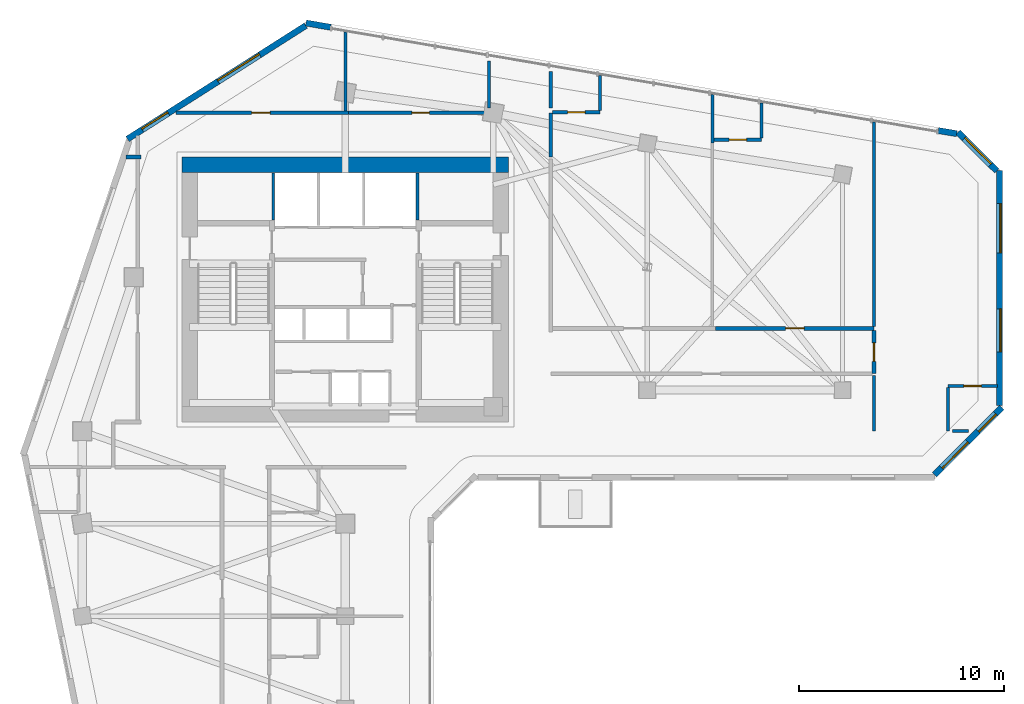
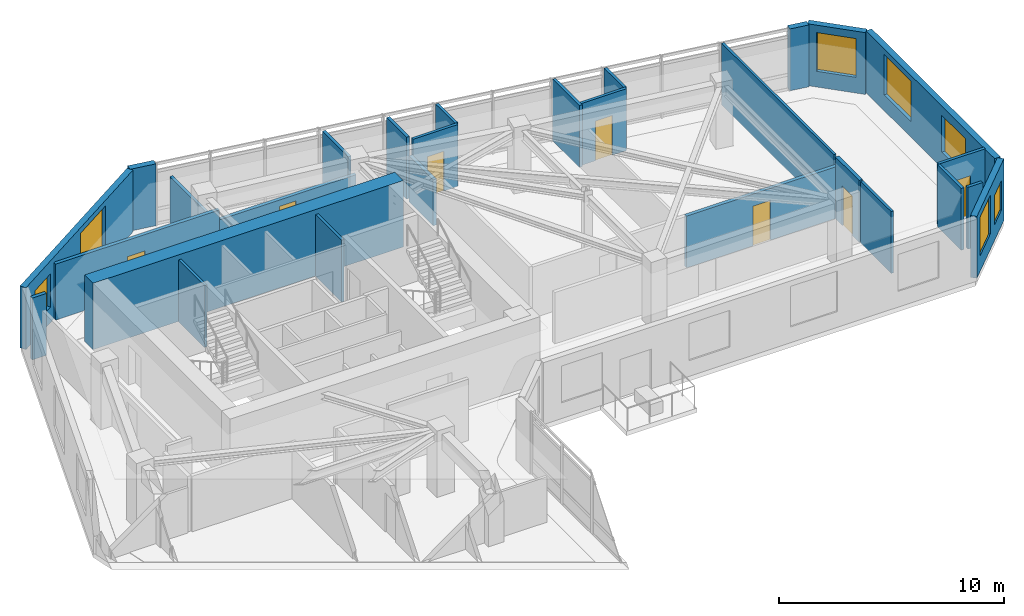
# One storey, part 7 of 11: 28 walls, 7 doors, 7 windows, 14 openings.
"""IFC4 building model written with IfcOpenShell, lengths in metres."""

from ifc_helpers import new_model, si_unit, direction, frame, frame_2d, origin, place, context, subcontext, project, spatial, rectangle, extrude, source, transform, mapped, material, layer, layer_set, type_object, element, fill, save


model = new_model("IFC4")

# Units and contexts
model_context = context("Model", 3, precision=1e-05, world=origin(), true_north=direction((0.0, 1.0)))
body_context = subcontext(model_context, "Body", "Model", "MODEL_VIEW")
ifc_project = project(units=[si_unit("LENGTHUNIT", "METRE"), si_unit("AREAUNIT", "SQUARE_METRE"), si_unit("VOLUMEUNIT", "CUBIC_METRE"), si_unit("PLANEANGLEUNIT", "RADIAN"), si_unit("MASSUNIT", "GRAM", prefix="KILO")], contexts=[model_context])

# Site, building, storey
site_placement = place(None, origin())
site = spatial("IfcSite", under=ifc_project, at=site_placement, CompositionType="ELEMENT")
building_placement = place(site_placement, origin())
building = spatial("IfcBuilding", under=site, at=building_placement, Name="Calvemar Wedge Station Tower", CompositionType="ELEMENT")
storey_placement = place(building_placement, frame((0.0, 0.0, 143.0)))
storey = spatial("IfcBuildingStorey", under=building, at=storey_placement, Name="L35", CompositionType="ELEMENT", Elevation=143.0)

# Walls
ifc_material_1 = material(Name="Concrete C70", Category="concrete")
ifc_layer_1 = layer(ifc_material_1, 0.75)
ifc_layer_set_1 = layer_set([ifc_layer_1], Name="Concrete C70")
wall_type_1 = type_object("IfcWallType", Name="SW-CORE-750", PredefinedType="SHEAR", material=ifc_layer_set_1)
wall_1_placement = place(storey_placement, frame((15.85009765625, 45.97509765625, 0.0), z_axis=(0.0, 0.0, 1.0), x_axis=(1.0, 0.0, 0.0)))
element("IfcWall", 1, at=wall_1_placement, inside=storey, type_object=wall_type_1, Name="Storey L35 Core Shear Wall N", PredefinedType="SHEAR", context=body_context, shape_type="SweptSolid", body=[
    extrude(rectangle(XDim=15.89990234375, YDim=0.75, at=frame_2d((7.949951171875, 0.0))), origin(), (0.0, 0.0, 1.0), 3.60009765625),
])
ifc_material_2 = material(Name="Double-stud fire-rated corridor partition")
ifc_layer_2 = layer(ifc_material_2, 0.179931640625)
ifc_layer_set_2 = layer_set([ifc_layer_2], Name="Double-stud fire-rated corridor partition")
wall_type_2 = type_object("IfcWallType", Name="W-CORR-180", PredefinedType="PARTITIONING", material=ifc_layer_set_2)
wall_2_placement = place(storey_placement, frame((13.860107421875, 46.35009765625, 0.0), z_axis=(0.0, 0.0, 1.0), x_axis=(-1.0, 0.0, 0.0)))
element("IfcWall", 2, at=wall_2_placement, inside=storey, type_object=wall_type_2, Name="Storey L35 Interior Partition WL-L35-011", PredefinedType="PARTITIONING", context=body_context, shape_type="SweptSolid", body=[
    extrude(rectangle(XDim=0.73486328125, YDim=0.179931640625, at=frame_2d((0.367431640625, 0.0))), origin(), (0.0, 0.0, 1.0), 3.35009765625),
])

# Wall, opening, door
wall_3_placement = place(storey_placement, frame((15.552490234375, 48.5, 0.0), z_axis=(0.0, 0.0, 1.0), x_axis=(1.0, 0.0, 0.0)))
wall_3 = element("IfcWall", 3, at=wall_3_placement, inside=storey, type_object=wall_type_2, Name="Storey L35 Interior Partition WL-L35-012", PredefinedType="PARTITIONING", context=body_context, shape_type="SweptSolid", body=[
    extrude(rectangle(XDim=8.407470703125, YDim=0.179931640625, at=frame_2d((4.20361328125, 0.0))), origin(), (0.0, 0.0, 1.0), 3.033935546875),
])
shared_shape_1 = source(origin(), body_context, "Body", "SweptSolid", [
    extrude(rectangle(XDim=0.89990234375, YDim=2.14990234375, at=frame_2d((0.449951171875, 1.074951171875))), frame((0.0, 0.10009765625, 0.0), z_axis=(0.0, -1.0, 0.0), x_axis=(1.0, 0.0, 0.0)), (0.0, 0.0, 1.0), 0.199951171875),
])
opening_1_placement = place(wall_3_placement, frame((3.69287109375, 0.0, 0.0)))
opening_1 = element("IfcOpeningElement", 4, at=opening_1_placement, cuts=wall_3, Name="Opening D-01", PredefinedType="OPENING", context=body_context, shape_type="MappedRepresentation", body=[
    mapped(shared_shape_1, transform((0.0, 0.0, 0.0), scale=1.0)),
])
ifc_material_3 = material(Name="Architectural hardwood acoustic swing door", Category="wood")
door_type_1 = type_object("IfcDoorType", Name="DR-INT-900", OperationType="NOTDEFINED", PredefinedType="DOOR", material=ifc_material_3)
shared_shape_2 = source(origin(), body_context, "Body", "SweptSolid", [
    extrude(rectangle(XDim=0.89990234375, YDim=2.14990234375, at=frame_2d((0.449951171875, 1.074951171875))), frame((0.0, 0.02490234375, 0.0), z_axis=(0.0, -1.0, 0.0), x_axis=(1.0, 0.0, 0.0)), (0.0, 0.0, 1.0), 0.050048828125),
])
door_1_placement = place(opening_1_placement, origin())
door_1 = element("IfcDoor", 5, at=door_1_placement, inside=storey, type_object=door_type_1, Name="L35 Business Centre Door", OperationType="SINGLE_SWING_RIGHT", OverallHeight=2.14990234375, OverallWidth=0.89990234375, PredefinedType="DOOR", context=body_context, shape_type="MappedRepresentation", body=[
    mapped(shared_shape_2, transform((0.0, 0.0, 0.0), scale=1.0)),
])
fill(opening_1, door_1)

wall_4_placement = place(storey_placement, frame((23.9619140625, 48.5, 0.0), z_axis=(0.0, 0.0, 1.0), x_axis=(1.0, 0.0, 0.0)))
wall_4 = element("IfcWall", 6, at=wall_4_placement, inside=storey, type_object=wall_type_2, Name="Storey L35 Interior Partition WL-L35-013", PredefinedType="PARTITIONING", context=body_context, shape_type="SweptSolid", body=[
    extrude(rectangle(XDim=6.998046875, YDim=0.179931640625, at=frame_2d((3.4990234375, 0.0))), origin(), (0.0, 0.0, 1.0), 2.491943359375),
])
shared_shape_3 = source(origin(), body_context, "Body", "SweptSolid", [
    extrude(rectangle(XDim=0.85009765625, YDim=2.14990234375, at=frame_2d((0.425048828125, 1.074951171875))), frame((0.0, 0.10009765625, 0.0), z_axis=(0.0, -1.0, 0.0), x_axis=(1.0, 0.0, 0.0)), (0.0, 0.0, 1.0), 0.199951171875),
])
opening_2_placement = place(wall_4_placement, frame((3.073974609375, 0.0, 0.0)))
opening_2 = element("IfcOpeningElement", 7, at=opening_2_placement, cuts=wall_4, Name="Opening D-02", PredefinedType="OPENING", context=body_context, shape_type="MappedRepresentation", body=[
    mapped(shared_shape_3, transform((0.0, 0.0, 0.0), scale=1.0)),
])
ifc_material_4 = material(Name="Moisture-sealed bathroom hardwood swing door", Category="wood")
door_type_2 = type_object("IfcDoorType", Name="DR-WET-850", OperationType="NOTDEFINED", PredefinedType="DOOR", material=ifc_material_4)
shared_shape_4 = source(origin(), body_context, "Body", "SweptSolid", [
    extrude(rectangle(XDim=0.85009765625, YDim=2.14990234375, at=frame_2d((0.425048828125, 1.074951171875))), frame((0.0, 0.02490234375, 0.0), z_axis=(0.0, -1.0, 0.0), x_axis=(1.0, 0.0, 0.0)), (0.0, 0.0, 1.0), 0.050048828125),
])
door_2_placement = place(opening_2_placement, origin())
door_2 = element("IfcDoor", 8, at=door_2_placement, inside=storey, type_object=door_type_2, Name="L35 Accessible WC Door", OperationType="SINGLE_SWING_LEFT", OverallHeight=2.14990234375, OverallWidth=0.85009765625, PredefinedType="DOOR", context=body_context, shape_type="MappedRepresentation", body=[
    mapped(shared_shape_4, transform((0.0, 0.0, 0.0), scale=1.0)),
])
fill(opening_2, door_2)

# Wall
wall_5_placement = place(storey_placement, frame((33.800048828125, 48.5, 0.0), z_axis=(0.0, 0.0, 1.0), x_axis=(0.0, -1.0, 0.0)))
element("IfcWall", 9, at=wall_5_placement, inside=storey, type_object=wall_type_2, Name="Storey L35 Interior Partition WL-L35-014", PredefinedType="PARTITIONING", context=body_context, shape_type="SweptSolid", body=[
    extrude(rectangle(XDim=2.14990234375, YDim=0.179931640625, at=frame_2d((1.074951171875, 0.0))), origin(), (0.0, 0.0, 1.0), 2.491943359375),
])

# Wall, opening, door
wall_6_placement = place(storey_placement, frame((41.8291015625, 38.0, 0.0), z_axis=(0.0, 0.0, 1.0), x_axis=(1.0, 0.0, 0.0)))
wall_6 = element("IfcWall", 10, at=wall_6_placement, inside=storey, type_object=wall_type_2, Name="Storey L35 Interior Partition WL-L35-020", PredefinedType="PARTITIONING", context=body_context, shape_type="SweptSolid", body=[
    extrude(rectangle(XDim=7.705810546875, YDim=0.179931640625, at=frame_2d((3.85302734375, 0.0))), origin(), (0.0, 0.0, 1.0), 2.802978515625),
])
opening_3_placement = place(wall_6_placement, frame((3.403076171875, 0.0, 0.0)))
opening_3 = element("IfcOpeningElement", 11, at=opening_3_placement, cuts=wall_6, Name="Opening FD-60", PredefinedType="OPENING", context=body_context, shape_type="MappedRepresentation", body=[
    mapped(shared_shape_1, transform((0.0, 0.0, 0.0), scale=1.0)),
])
ifc_material_5 = material(Name="Fire-rated acoustic timber-core entrance door EI 60", Category="wood")
door_type_3 = type_object("IfcDoorType", Name="DR-FD60-900", OperationType="NOTDEFINED", PredefinedType="DOOR", material=ifc_material_5)
shared_shape_5 = source(origin(), body_context, "Body", "SweptSolid", [
    extrude(rectangle(XDim=0.89990234375, YDim=2.14990234375, at=frame_2d((0.449951171875, 1.074951171875))), frame((0.0, 0.02490234375, 0.0), z_axis=(0.0, -1.0, 0.0), x_axis=(1.0, 0.0, 0.0)), (0.0, 0.0, 1.0), 0.050048828125),
])
door_3_placement = place(opening_3_placement, origin())
door_3 = element("IfcDoor", 12, at=door_3_placement, inside=storey, type_object=door_type_3, Name="L35 Hotel Suite Door", OperationType="SINGLE_SWING_LEFT", OverallHeight=2.14990234375, OverallWidth=0.89990234375, PredefinedType="DOOR", context=body_context, shape_type="MappedRepresentation", body=[
    mapped(shared_shape_5, transform((0.0, 0.0, 0.0), scale=1.0)),
])
fill(opening_3, door_3)

wall_7_placement = place(storey_placement, frame((49.534912109375, 37.906005859375, 0.0), z_axis=(0.0, 0.0, 1.0), x_axis=(0.0, -1.0, 0.0)))
wall_7 = element("IfcWall", 13, at=wall_7_placement, inside=storey, type_object=wall_type_2, Name="Storey L35 Interior Partition WL-L35-021", PredefinedType="PARTITIONING", context=body_context, shape_type="SweptSolid", body=[
    extrude(rectangle(XDim=2.10595703125, YDim=0.179931640625, at=frame_2d((1.052978515625, 0.0))), origin(), (0.0, 0.0, 1.0), 3.35009765625),
])
opening_4_placement = place(wall_7_placement, frame((0.60302734375, 0.0, 0.0)))
opening_4 = element("IfcOpeningElement", 14, at=opening_4_placement, cuts=wall_7, Name="Opening FD-60", PredefinedType="OPENING", context=body_context, shape_type="MappedRepresentation", body=[
    mapped(shared_shape_1, transform((0.0, 0.0, 0.0), scale=1.0)),
])
door_4_placement = place(opening_4_placement, origin())
door_4 = element("IfcDoor", 15, at=door_4_placement, inside=storey, type_object=door_type_3, Name="L35 Hotel Suite Door", OperationType="SINGLE_SWING_LEFT", OverallHeight=2.14990234375, OverallWidth=0.89990234375, PredefinedType="DOOR", context=body_context, shape_type="MappedRepresentation", body=[
    mapped(shared_shape_5, transform((0.0, 0.0, 0.0), scale=1.0)),
])
fill(opening_4, door_4)

# Wall, openings, windows
ifc_material_6 = material(Name="Precast concrete C45", Category="concrete")
ifc_layer_3 = layer(ifc_material_6, 0.300048828125)
ifc_layer_set_3 = layer_set([ifc_layer_3], Name="Precast concrete C45")
wall_type_3 = type_object("IfcWallType", Name="W-EXT-GFRC-300", PredefinedType="SOLIDWALL", material=ifc_layer_set_3)
wall_8_placement = place(storey_placement, frame((52.475830078125, 30.8798828125, 0.0), z_axis=(0.0, 0.0, 1.0), x_axis=(0.707106781187, 0.707106781187, 0.0)))
wall_8 = element("IfcWall", 16, at=wall_8_placement, inside=storey, type_object=wall_type_3, Name="Storey L35 Bronze GFRC Exterior Wall 7", PredefinedType="SOLIDWALL", context=body_context, shape_type="SweptSolid", body=[
    extrude(rectangle(XDim=4.638916015625, YDim=0.300048828125, at=frame_2d((2.3193359375, 0.0))), origin(), (0.0, 0.0, 1.0), 3.35009765625),
])
shared_shape_6 = source(origin(), body_context, "Body", "SweptSolid", [
    extrude(rectangle(XDim=1.800048828125, YDim=2.10009765625, at=frame_2d((0.89990234375, 1.050048828125))), frame((0.0, 0.16015625, 0.0), z_axis=(0.0, -1.0, 0.0), x_axis=(1.0, 0.0, 0.0)), (0.0, 0.0, 1.0), 0.320068359375),
])
opening_5_placement = place(wall_8_placement, frame((0.48193359375, 0.0, 0.85009765625)))
opening_5 = element("IfcOpeningElement", 17, at=opening_5_placement, cuts=wall_8, Name="Opening W2", PredefinedType="OPENING", context=body_context, shape_type="MappedRepresentation", body=[
    mapped(shared_shape_6, transform((0.0, 0.0, 0.0), scale=1.0)),
])
shared_shape_7 = source(origin(), body_context, "Body", "SweptSolid", [
    extrude(rectangle(XDim=1.199951171875, YDim=1.60009765625, at=frame_2d((0.60009765625, 0.800048828125))), frame((0.0, 0.16015625, 0.0), z_axis=(0.0, -1.0, 0.0), x_axis=(1.0, 0.0, 0.0)), (0.0, 0.0, 1.0), 0.320068359375),
])
opening_6_placement = place(wall_8_placement, frame((3.0009765625, 0.0, 0.85009765625)))
opening_6 = element("IfcOpeningElement", 18, at=opening_6_placement, cuts=wall_8, Name="Opening W5", PredefinedType="OPENING", context=body_context, shape_type="MappedRepresentation", body=[
    mapped(shared_shape_7, transform((0.0, 0.0, 0.0), scale=1.0)),
])
ifc_material_7 = material(Name="Low-E laminated insulated glass", Category="glass")
window_type_1 = type_object("IfcWindowType", Name="WIN-EXT-2", PartitioningType="SINGLE_PANEL", PredefinedType="WINDOW", material=ifc_material_7)
shared_shape_8 = source(origin(), body_context, "Body", "SweptSolid", [
    extrude(rectangle(XDim=1.800048828125, YDim=2.10009765625, at=frame_2d((0.89990234375, 1.050048828125))), frame((0.0, -0.014892578125, 0.0), z_axis=(0.0, -1.0, 0.0), x_axis=(1.0, 0.0, 0.0)), (0.0, 0.0, 1.0), 0.06005859375),
])
window_1_placement = place(opening_5_placement, origin())
window_1 = element("IfcWindow", 19, at=window_1_placement, inside=storey, type_object=window_type_1, Name="Storey L35 Recessed Window 7.1", OverallHeight=2.10009765625, OverallWidth=1.800048828125, PartitioningType="SINGLE_PANEL", PredefinedType="WINDOW", context=body_context, shape_type="MappedRepresentation", body=[
    mapped(shared_shape_8, transform((0.0, 0.0, 0.0), scale=1.0)),
])
fill(opening_5, window_1)
window_type_2 = type_object("IfcWindowType", Name="WIN-EXT-5", PartitioningType="SINGLE_PANEL", PredefinedType="WINDOW", material=ifc_material_7)
shared_shape_9 = source(origin(), body_context, "Body", "SweptSolid", [
    extrude(rectangle(XDim=1.199951171875, YDim=1.60009765625, at=frame_2d((0.60009765625, 0.800048828125))), frame((0.0, -0.014892578125, 0.0), z_axis=(0.0, -1.0, 0.0), x_axis=(1.0, 0.0, 0.0)), (0.0, 0.0, 1.0), 0.06005859375),
])
window_2_placement = place(opening_6_placement, origin())
window_2 = element("IfcWindow", 20, at=window_2_placement, inside=storey, type_object=window_type_2, Name="Storey L35 Recessed Window 7.2", OverallHeight=1.60009765625, OverallWidth=1.199951171875, PartitioningType="SINGLE_PANEL", PredefinedType="WINDOW", context=body_context, shape_type="MappedRepresentation", body=[
    mapped(shared_shape_9, transform((0.0, 0.0, 0.0), scale=1.0)),
])
fill(opening_6, window_2)

wall_9_placement = place(storey_placement, frame((55.64990234375, 34.249267578125, 0.0), z_axis=(0.0, 0.0, 1.0), x_axis=(0.0, 1.0, 0.0)))
wall_9 = element("IfcWall", 21, at=wall_9_placement, inside=storey, type_object=wall_type_3, Name="Storey L35 Bronze GFRC Exterior Wall 8", PredefinedType="SOLIDWALL", context=body_context, shape_type="SweptSolid", body=[
    extrude(rectangle(XDim=11.4306640625, YDim=0.300048828125, at=frame_2d((5.71533203125, 0.0))), origin(), (0.0, 0.0, 1.0), 3.35009765625),
])
shared_shape_10 = source(origin(), body_context, "Body", "SweptSolid", [
    extrude(rectangle(XDim=2.10009765625, YDim=2.0, at=frame_2d((1.050048828125, 1.0))), frame((0.0, 0.16015625, 0.0), z_axis=(0.0, -1.0, 0.0), x_axis=(1.0, 0.0, 0.0)), (0.0, 0.0, 1.0), 0.320068359375),
])
opening_7_placement = place(wall_9_placement, frame((2.60595703125, 0.0, 0.85009765625)))
opening_7 = element("IfcOpeningElement", 22, at=opening_7_placement, cuts=wall_9, Name="Opening W4", PredefinedType="OPENING", context=body_context, shape_type="MappedRepresentation", body=[
    mapped(shared_shape_10, transform((0.0, 0.0, 0.0), scale=1.0)),
])
shared_shape_11 = source(origin(), body_context, "Body", "SweptSolid", [
    extrude(rectangle(XDim=2.39990234375, YDim=2.199951171875, at=frame_2d((1.199951171875, 1.10009765625))), frame((0.0, 0.16015625, 0.0), z_axis=(0.0, -1.0, 0.0), x_axis=(1.0, 0.0, 0.0)), (0.0, 0.0, 1.0), 0.320068359375),
])
opening_8_placement = place(wall_9_placement, frame((7.426025390625, 0.0, 0.85009765625)))
opening_8 = element("IfcOpeningElement", 23, at=opening_8_placement, cuts=wall_9, Name="Opening W1", PredefinedType="OPENING", context=body_context, shape_type="MappedRepresentation", body=[
    mapped(shared_shape_11, transform((0.0, 0.0, 0.0), scale=1.0)),
])
window_type_3 = type_object("IfcWindowType", Name="WIN-EXT-4", PartitioningType="SINGLE_PANEL", PredefinedType="WINDOW", material=ifc_material_7)
shared_shape_12 = source(origin(), body_context, "Body", "SweptSolid", [
    extrude(rectangle(XDim=2.10009765625, YDim=2.0, at=frame_2d((1.050048828125, 1.0))), frame((0.0, -0.014892578125, 0.0), z_axis=(0.0, -1.0, 0.0), x_axis=(1.0, 0.0, 0.0)), (0.0, 0.0, 1.0), 0.06005859375),
])
window_3_placement = place(opening_7_placement, origin())
window_3 = element("IfcWindow", 24, at=window_3_placement, inside=storey, type_object=window_type_3, Name="Storey L35 Recessed Window 8.1", OverallHeight=2.0, OverallWidth=2.10009765625, PartitioningType="SINGLE_PANEL", PredefinedType="WINDOW", context=body_context, shape_type="MappedRepresentation", body=[
    mapped(shared_shape_12, transform((0.0, 0.0, 0.0), scale=1.0)),
])
fill(opening_7, window_3)
window_type_4 = type_object("IfcWindowType", Name="WIN-EXT-1", PartitioningType="SINGLE_PANEL", PredefinedType="WINDOW", material=ifc_material_7)
shared_shape_13 = source(origin(), body_context, "Body", "SweptSolid", [
    extrude(rectangle(XDim=2.39990234375, YDim=2.199951171875, at=frame_2d((1.199951171875, 1.10009765625))), frame((0.0, -0.014892578125, 0.0), z_axis=(0.0, -1.0, 0.0), x_axis=(1.0, 0.0, 0.0)), (0.0, 0.0, 1.0), 0.06005859375),
])
window_4_placement = place(opening_8_placement, origin())
window_4 = element("IfcWindow", 25, at=window_4_placement, inside=storey, type_object=window_type_4, Name="Storey L35 Recessed Window 8.2", OverallHeight=2.199951171875, OverallWidth=2.39990234375, PartitioningType="SINGLE_PANEL", PredefinedType="WINDOW", context=body_context, shape_type="MappedRepresentation", body=[
    mapped(shared_shape_13, transform((0.0, 0.0, 0.0), scale=1.0)),
])
fill(opening_8, window_4)

# Wall, opening, window
wall_10_placement = place(storey_placement, frame((55.511962890625, 45.66796875, 0.0), z_axis=(0.0, 0.0, 1.0), x_axis=(-0.707152443695, 0.707061115729, 0.0)))
wall_10 = element("IfcWall", 26, at=wall_10_placement, inside=storey, type_object=wall_type_3, Name="Storey L35 Bronze GFRC Exterior Wall 9", PredefinedType="SOLIDWALL", context=body_context, shape_type="SweptSolid", body=[
    extrude(rectangle(XDim=2.67333984375, YDim=0.300048828125, at=frame_2d((1.336669921875, 0.0))), origin(), (0.0, 0.0, 1.0), 3.35009765625),
])
opening_9_placement = place(wall_10_placement, frame((0.43701171875, 0.0, 0.85009765625)))
opening_9 = element("IfcOpeningElement", 27, at=opening_9_placement, cuts=wall_10, Name="Opening W2", PredefinedType="OPENING", context=body_context, shape_type="MappedRepresentation", body=[
    mapped(shared_shape_6, transform((0.0, 0.0, 0.0), scale=1.0)),
])
window_5_placement = place(opening_9_placement, origin())
window_5 = element("IfcWindow", 28, at=window_5_placement, inside=storey, type_object=window_type_1, Name="Storey L35 Recessed Window 9.1", OverallHeight=2.10009765625, OverallWidth=1.800048828125, PartitioningType="SINGLE_PANEL", PredefinedType="WINDOW", context=body_context, shape_type="MappedRepresentation", body=[
    mapped(shared_shape_8, transform((0.0, 0.0, 0.0), scale=1.0)),
])
fill(opening_9, window_5)

# Walls
wall_11_placement = place(storey_placement, frame((53.56103515625, 47.48046875, 0.0), z_axis=(0.0, 0.0, 1.0), x_axis=(-0.985836300899, 0.167710428506, 0.0)))
element("IfcWall", 29, at=wall_11_placement, inside=storey, type_object=wall_type_3, Name="Storey L35 Bronze GFRC Corner Pier 10A", PredefinedType="SOLIDWALL", context=body_context, shape_type="SweptSolid", body=[
    extrude(rectangle(XDim=0.908447265625, YDim=0.300048828125, at=frame_2d((0.4541015625, 0.0))), origin(), (0.0, 0.0, 1.0), 3.35009765625),
])
wall_12_placement = place(storey_placement, frame((23.093994140625, 52.661865234375, 0.0), z_axis=(0.0, 0.0, 1.0), x_axis=(-0.985845658291, 0.167655414553, 0.0)))
element("IfcWall", 30, at=wall_12_placement, inside=storey, type_object=wall_type_3, Name="Storey L35 Bronze GFRC Corner Pier 10B", PredefinedType="SOLIDWALL", context=body_context, shape_type="SweptSolid", body=[
    extrude(rectangle(XDim=1.2275390625, YDim=0.300048828125, at=frame_2d((0.61376953125, 0.0))), origin(), (0.0, 0.0, 1.0), 3.35009765625),
])

# Wall, openings, windows
wall_13_placement = place(storey_placement, frame((21.874755859375, 52.742431640625, 0.0), z_axis=(0.0, 0.0, 1.0), x_axis=(-0.843662465249, -0.536873956092, 0.0)))
wall_13 = element("IfcWall", 31, at=wall_13_placement, inside=storey, type_object=wall_type_3, Name="Storey L35 Bronze GFRC Exterior Wall 11", PredefinedType="SOLIDWALL", context=body_context, shape_type="SweptSolid", body=[
    extrude(rectangle(XDim=10.283935546875, YDim=0.300048828125, at=frame_2d((5.14208984375, 0.0))), origin(), (0.0, 0.0, 1.0), 3.35009765625),
])
opening_10_placement = place(wall_13_placement, frame((2.656005859375, 0.0, 0.85009765625)))
opening_10 = element("IfcOpeningElement", 32, at=opening_10_placement, cuts=wall_13, Name="Opening W1", PredefinedType="OPENING", context=body_context, shape_type="MappedRepresentation", body=[
    mapped(shared_shape_11, transform((0.0, 0.0, 0.0), scale=1.0)),
])
shared_shape_14 = source(origin(), body_context, "Body", "SweptSolid", [
    extrude(rectangle(XDim=1.5, YDim=1.800048828125, at=frame_2d((0.75, 0.89990234375))), frame((0.0, 0.16015625, 0.0), z_axis=(0.0, -1.0, 0.0), x_axis=(1.0, 0.0, 0.0)), (0.0, 0.0, 1.0), 0.320068359375),
])
opening_11_placement = place(wall_13_placement, frame((7.93701171875, 0.0, 0.85009765625)))
opening_11 = element("IfcOpeningElement", 33, at=opening_11_placement, cuts=wall_13, Name="Opening W3", PredefinedType="OPENING", context=body_context, shape_type="MappedRepresentation", body=[
    mapped(shared_shape_14, transform((0.0, 0.0, 0.0), scale=1.0)),
])
window_6_placement = place(opening_10_placement, origin())
window_6 = element("IfcWindow", 34, at=window_6_placement, inside=storey, type_object=window_type_4, Name="Storey L35 Recessed Window 11.1", OverallHeight=2.199951171875, OverallWidth=2.39990234375, PartitioningType="SINGLE_PANEL", PredefinedType="WINDOW", context=body_context, shape_type="MappedRepresentation", body=[
    mapped(shared_shape_13, transform((0.0, 0.0, 0.0), scale=1.0)),
])
fill(opening_10, window_6)
window_type_5 = type_object("IfcWindowType", Name="WIN-EXT-3", PartitioningType="SINGLE_PANEL", PredefinedType="WINDOW", material=ifc_material_7)
shared_shape_15 = source(origin(), body_context, "Body", "SweptSolid", [
    extrude(rectangle(XDim=1.5, YDim=1.800048828125, at=frame_2d((0.75, 0.89990234375))), frame((0.0, -0.014892578125, 0.0), z_axis=(0.0, -1.0, 0.0), x_axis=(1.0, 0.0, 0.0)), (0.0, 0.0, 1.0), 0.06005859375),
])
window_7_placement = place(opening_11_placement, origin())
window_7 = element("IfcWindow", 35, at=window_7_placement, inside=storey, type_object=window_type_5, Name="Storey L35 Recessed Window 11.2", OverallHeight=1.800048828125, OverallWidth=1.5, PartitioningType="SINGLE_PANEL", PredefinedType="WINDOW", context=body_context, shape_type="MappedRepresentation", body=[
    mapped(shared_shape_15, transform((0.0, 0.0, 0.0), scale=1.0)),
])
fill(opening_11, window_7)

# Walls
ifc_material_8 = material(Name="Reinforced concrete blockwork lift shaft wall", Category="masonry")
ifc_layer_4 = layer(ifc_material_8, 0.139892578125)
ifc_layer_set_4 = layer_set([ifc_layer_4], Name="Reinforced concrete blockwork lift shaft wall")
wall_type_4 = type_object("IfcWallType", Name="W-LIFT-160", PredefinedType="SOLIDWALL", material=ifc_layer_set_4)
for number, where, z_axis, x_axis, name in (
    (36, (20.2900390625, 43.280029296875, 0.0), (0.0, 0.0, 1.0), (0.0, 1.0, 0.0), "Storey L35 Firefighting Lift Shaft Enclosure Wall W"),
    (37, (27.31005859375, 43.280029296875, 0.0), (0.0, 0.0, 1.0), (0.0, 1.0, 0.0), "Storey L35 Firefighting Lift Shaft Enclosure Wall E"),
):
    element("IfcWall", number, at=place(storey_placement, frame(where, z_axis=z_axis, x_axis=x_axis)), inside=storey, type_object=wall_type_4, Name=name, PredefinedType="SOLIDWALL", context=body_context, shape_type="SweptSolid", body=[
        extrude(rectangle(XDim=2.300048828125, YDim=0.139892578125, at=frame_2d((1.14990234375, 0.0))), origin(), (0.0, 0.0, 1.0), 3.35009765625),
    ])
ifc_material_9 = material(Name="Insulated acoustic gypsum stud partition")
ifc_layer_5 = layer(ifc_material_9, 0.125)
ifc_layer_set_5 = layer_set([ifc_layer_5], Name="Insulated acoustic gypsum stud partition")
wall_type_5 = type_object("IfcWallType", Name="W-PART-125", PredefinedType="PARTITIONING", material=ifc_layer_set_5)
wall_14_placement = place(storey_placement, frame((49.534912109375, 48.048583984375, 0.0), z_axis=(0.0, 0.0, 1.0), x_axis=(0.0, -1.0, 0.0)))
element("IfcWall", 38, at=wall_14_placement, inside=storey, type_object=wall_type_5, Name="Storey L35 Interior Partition WL-L35-029", PredefinedType="PARTITIONING", context=body_context, shape_type="SweptSolid", body=[
    extrude(rectangle(XDim=9.95458984375, YDim=0.125, at=frame_2d((4.977294921875, 0.0))), origin(), (0.0, 0.0, 1.0), 3.35009765625),
])
wall_15_placement = place(storey_placement, frame((49.534912109375, 33.0, 0.0), z_axis=(0.0, 0.0, 1.0), x_axis=(0.0, 1.0, 0.0)))
element("IfcWall", 39, at=wall_15_placement, inside=storey, type_object=wall_type_5, Name="Storey L35 Interior Partition WL-L35-032", PredefinedType="PARTITIONING", context=body_context, shape_type="SweptSolid", body=[
    extrude(rectangle(XDim=2.7060546875, YDim=0.125, at=frame_2d((1.35302734375, 0.0))), origin(), (0.0, 0.0, 1.0), 3.35009765625),
])
ifc_material_10 = material(Name="Moisture-resistant acoustic bathroom partition")
ifc_layer_6 = layer(ifc_material_10, 0.14990234375)
ifc_layer_set_6 = layer_set([ifc_layer_6], Name="Moisture-resistant acoustic bathroom partition")
wall_type_6 = type_object("IfcWallType", Name="W-WET-150", PredefinedType="PARTITIONING", material=ifc_layer_set_6)
wall_16_placement = place(storey_placement, frame((23.800048828125, 52.425048828125, 0.0), z_axis=(0.0, 0.0, 1.0), x_axis=(0.0, -1.0, 0.0)))
element("IfcWall", 40, at=wall_16_placement, inside=storey, type_object=wall_type_6, Name="Storey L35 Interior Partition WL-L35-018", PredefinedType="PARTITIONING", context=body_context, shape_type="SweptSolid", body=[
    extrude(rectangle(XDim=3.8310546875, YDim=0.14990234375, at=frame_2d((1.91552734375, 0.0))), origin(), (0.0, 0.0, 1.0), 2.491943359375),
])

# Wall, opening, door
wall_17_placement = place(storey_placement, frame((36.199951171875, 48.5244140625, 0.0), z_axis=(0.0, 0.0, 1.0), x_axis=(-1.0, 0.0, 0.0)))
wall_17 = element("IfcWall", 41, at=wall_17_placement, inside=storey, type_object=wall_type_6, Name="Storey L35 Interior Partition WL-L35-023", PredefinedType="PARTITIONING", context=body_context, shape_type="SweptSolid", body=[
    extrude(rectangle(XDim=2.305908203125, YDim=0.14990234375, at=frame_2d((1.15283203125, 0.0))), origin(), (0.0, 0.0, 1.0), 3.35009765625),
])
shared_shape_16 = source(origin(), body_context, "Body", "SweptSolid", [
    extrude(rectangle(XDim=0.85009765625, YDim=2.14990234375, at=frame_2d((0.425048828125, 1.074951171875))), frame((0.0, 0.0849609375, 0.0), z_axis=(0.0, -1.0, 0.0), x_axis=(1.0, 0.0, 0.0)), (0.0, 0.0, 1.0), 0.169921875),
])
opening_12_placement = place(wall_17_placement, frame((0.72802734375, 0.0, 0.0)))
opening_12 = element("IfcOpeningElement", 42, at=opening_12_placement, cuts=wall_17, Name="Opening D-02", PredefinedType="OPENING", context=body_context, shape_type="MappedRepresentation", body=[
    mapped(shared_shape_16, transform((0.0, 0.0, 0.0), scale=1.0)),
])
door_5_placement = place(opening_12_placement, origin())
door_5 = element("IfcDoor", 43, at=door_5_placement, inside=storey, type_object=door_type_2, Name="L35 En-Suite Bathroom Door", OperationType="SINGLE_SWING_RIGHT", OverallHeight=2.14990234375, OverallWidth=0.85009765625, PredefinedType="DOOR", context=body_context, shape_type="MappedRepresentation", body=[
    mapped(shared_shape_4, transform((0.0, 0.0, 0.0), scale=1.0)),
])
fill(opening_12, door_5)

# Walls
wall_18_placement = place(storey_placement, frame((36.199951171875, 50.31640625, 0.0), z_axis=(0.0, 0.0, 1.0), x_axis=(0.0, -1.0, 0.0)))
element("IfcWall", 44, at=wall_18_placement, inside=storey, type_object=wall_type_6, Name="Storey L35 Interior Partition WL-L35-024", PredefinedType="PARTITIONING", context=body_context, shape_type="SweptSolid", body=[
    extrude(rectangle(XDim=1.712890625, YDim=0.14990234375, at=frame_2d((0.8564453125, 0.0))), origin(), (0.0, 0.0, 1.0), 3.35009765625),
])
wall_19_placement = place(storey_placement, frame((41.6669921875, 49.38671875, 0.0), z_axis=(0.0, 0.0, 1.0), x_axis=(0.0, -1.0, 0.0)))
element("IfcWall", 45, at=wall_19_placement, inside=storey, type_object=wall_type_6, Name="Storey L35 Interior Partition WL-L35-025", PredefinedType="PARTITIONING", context=body_context, shape_type="SweptSolid", body=[
    extrude(rectangle(XDim=2.360107421875, YDim=0.14990234375, at=frame_2d((1.18017578125, 0.0))), origin(), (0.0, 0.0, 1.0), 3.35009765625),
])

# Wall, opening, door
wall_20_placement = place(storey_placement, frame((44.06689453125, 47.1865234375, 0.0), z_axis=(0.0, 0.0, 1.0), x_axis=(-1.0, 0.0, 0.0)))
wall_20 = element("IfcWall", 46, at=wall_20_placement, inside=storey, type_object=wall_type_6, Name="Storey L35 Interior Partition WL-L35-027", PredefinedType="PARTITIONING", context=body_context, shape_type="SweptSolid", body=[
    extrude(rectangle(XDim=2.32080078125, YDim=0.14990234375, at=frame_2d((1.160400390625, 0.0))), origin(), (0.0, 0.0, 1.0), 3.35009765625),
])
opening_13_placement = place(wall_20_placement, frame((0.735595703125, 0.0, 0.0)))
opening_13 = element("IfcOpeningElement", 47, at=opening_13_placement, cuts=wall_20, Name="Opening D-02", PredefinedType="OPENING", context=body_context, shape_type="MappedRepresentation", body=[
    mapped(shared_shape_16, transform((0.0, 0.0, 0.0), scale=1.0)),
])
door_6_placement = place(opening_13_placement, origin())
door_6 = element("IfcDoor", 48, at=door_6_placement, inside=storey, type_object=door_type_2, Name="L35 En-Suite Bathroom Door", OperationType="SINGLE_SWING_RIGHT", OverallHeight=2.14990234375, OverallWidth=0.85009765625, PredefinedType="DOOR", context=body_context, shape_type="MappedRepresentation", body=[
    mapped(shared_shape_4, transform((0.0, 0.0, 0.0), scale=1.0)),
])
fill(opening_13, door_6)

# Wall
wall_21_placement = place(storey_placement, frame((44.06689453125, 48.978515625, 0.0), z_axis=(0.0, 0.0, 1.0), x_axis=(0.0, -1.0, 0.0)))
element("IfcWall", 49, at=wall_21_placement, inside=storey, type_object=wall_type_6, Name="Storey L35 Interior Partition WL-L35-028", PredefinedType="PARTITIONING", context=body_context, shape_type="SweptSolid", body=[
    extrude(rectangle(XDim=1.712890625, YDim=0.14990234375, at=frame_2d((0.8564453125, 0.0))), origin(), (0.0, 0.0, 1.0), 3.35009765625),
])

# Wall, opening, door
wall_22_placement = place(storey_placement, frame((53.135009765625, 35.199951171875, 0.0), z_axis=(0.0, 0.0, 1.0), x_axis=(1.0, 0.0, 0.0)))
wall_22 = element("IfcWall", 50, at=wall_22_placement, inside=storey, type_object=wall_type_6, Name="Storey L35 Interior Partition WL-L35-030", PredefinedType="PARTITIONING", context=body_context, shape_type="SweptSolid", body=[
    extrude(rectangle(XDim=2.39990234375, YDim=0.14990234375, at=frame_2d((1.199951171875, 0.0))), origin(), (0.0, 0.0, 1.0), 3.35009765625),
])
opening_14_placement = place(wall_22_placement, frame((0.77490234375, 0.0, 0.0)))
opening_14 = element("IfcOpeningElement", 51, at=opening_14_placement, cuts=wall_22, Name="Opening D-02", PredefinedType="OPENING", context=body_context, shape_type="MappedRepresentation", body=[
    mapped(shared_shape_16, transform((0.0, 0.0, 0.0), scale=1.0)),
])
door_7_placement = place(opening_14_placement, origin())
door_7 = element("IfcDoor", 52, at=door_7_placement, inside=storey, type_object=door_type_2, Name="L35 En-Suite Bathroom Door", OperationType="SINGLE_SWING_RIGHT", OverallHeight=2.14990234375, OverallWidth=0.85009765625, PredefinedType="DOOR", context=body_context, shape_type="MappedRepresentation", body=[
    mapped(shared_shape_4, transform((0.0, 0.0, 0.0), scale=1.0)),
])
fill(opening_14, door_7)

# Walls
wall_23_placement = place(storey_placement, frame((53.135009765625, 33.0, 0.0), z_axis=(0.0, 0.0, 1.0), x_axis=(0.0, 1.0, 0.0)))
element("IfcWall", 53, at=wall_23_placement, inside=storey, type_object=wall_type_6, Name="Storey L35 Interior Partition WL-L35-031", PredefinedType="PARTITIONING", context=body_context, shape_type="SweptSolid", body=[
    extrude(rectangle(XDim=2.12109375, YDim=0.14990234375, at=frame_2d((1.060546875, 0.0))), origin(), (0.0, 0.0, 1.0), 3.35009765625),
])
wall_24_placement = place(storey_placement, frame((30.800048828125, 51.011474609375, 0.0), z_axis=(0.0, 0.0, 1.0), x_axis=(0.0, -1.0, 0.0)))
element("IfcWall", 54, at=wall_24_placement, inside=storey, type_object=wall_type_6, Name="Storey L35 Bathroom Enclosure Wall WL-L35-049", PredefinedType="PARTITIONING", context=body_context, shape_type="SweptSolid", body=[
    extrude(rectangle(XDim=2.29150390625, YDim=0.14990234375, at=frame_2d((1.145751953125, 0.0))), origin(), (0.0, 0.0, 1.0), 3.35009765625),
])
wall_25_placement = place(storey_placement, frame((33.800048828125, 48.72314453125, 0.0), z_axis=(0.0, 0.0, 1.0), x_axis=(0.0, 1.0, 0.0)))
element("IfcWall", 55, at=wall_25_placement, inside=storey, type_object=wall_type_6, Name="Storey L35 Bathroom Enclosure Wall WL-L35-050", PredefinedType="PARTITIONING", context=body_context, shape_type="SweptSolid", body=[
    extrude(rectangle(XDim=1.778076171875, YDim=0.14990234375, at=frame_2d((0.88916015625, 0.0))), origin(), (0.0, 0.0, 1.0), 3.35009765625),
])
wall_26_placement = place(storey_placement, frame((54.1220703125, 33.0, 0.0), z_axis=(0.0, 0.0, 1.0), x_axis=(-1.0, 0.0, 0.0)))
element("IfcWall", 56, at=wall_26_placement, inside=storey, type_object=wall_type_6, Name="Storey L35 Bathroom Enclosure Wall WL-L35-051", PredefinedType="PARTITIONING", context=body_context, shape_type="SweptSolid", body=[
    extrude(rectangle(XDim=0.76708984375, YDim=0.14990234375, at=frame_2d((0.383544921875, 0.0))), origin(), (0.0, 0.0, 1.0), 3.35009765625),
])

save(model, "model.ifc")
